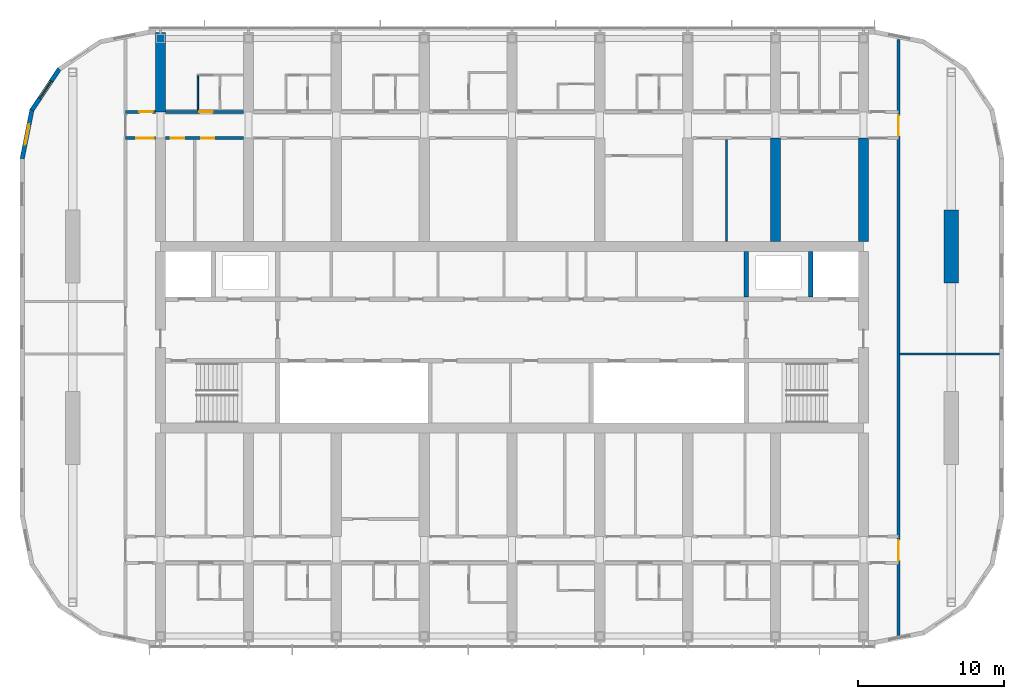
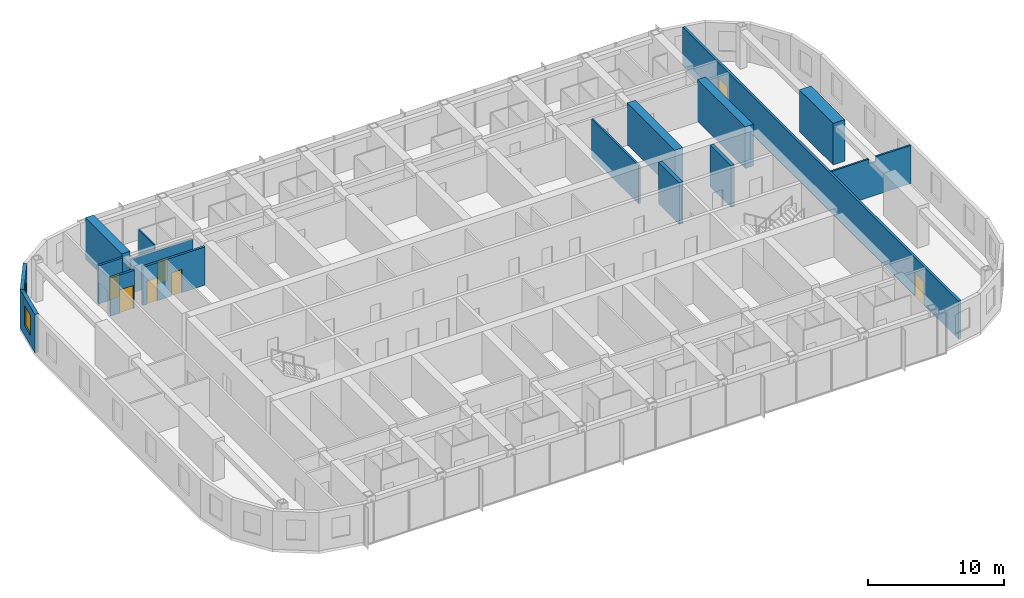
# One storey, part 15 of 23: 16 walls, 7 doors, 2 windows, 9 openings.
"""IFC4 building model written with IfcOpenShell, lengths in metres."""

from ifc_helpers import new_model, si_unit, direction, frame, frame_2d, origin, place, context, subcontext, project, spatial, polyline, rectangle, outline, extrude, material, layer, layer_set, type_object, element, fill, save


model = new_model("IFC4")

# Units and contexts
model_context = context("Model", 3, precision=1e-05, world=origin(), true_north=direction((0.0, 1.0)))
body_context = subcontext(model_context, "Body", "Model", "MODEL_VIEW")
ifc_project = project(units=[si_unit("LENGTHUNIT", "METRE"), si_unit("AREAUNIT", "SQUARE_METRE"), si_unit("VOLUMEUNIT", "CUBIC_METRE"), si_unit("PLANEANGLEUNIT", "RADIAN"), si_unit("MASSUNIT", "GRAM", prefix="KILO")], contexts=[model_context])

# Site, building, storey
site_placement = place(None, origin())
site = spatial("IfcSite", under=ifc_project, at=site_placement, CompositionType="ELEMENT")
building_placement = place(site_placement, origin())
building = spatial("IfcBuilding", under=site, at=building_placement, Name="Orbita Commons", CompositionType="ELEMENT")
storey_placement = place(building_placement, frame((0.0, 0.0, 254.050048828125)))
storey = spatial("IfcBuildingStorey", under=building, at=storey_placement, Name="L63", CompositionType="ELEMENT", Elevation=254.050048828125)

# Walls
ifc_material_1 = material(Name="Concrete C50/60", Category="concrete")
ifc_layer_1 = layer(ifc_material_1, 0.300048828125)
ifc_layer_set_1 = layer_set([ifc_layer_1], Name="Concrete C50/60")
wall_type_1 = type_object("IfcWallType", Name="Core inner wall 300 C50/60", PredefinedType="SHEAR", material=ifc_layer_set_1)
for number, where, z_axis, x_axis, name in (
    (1, (62.39990234375, 34.75, 0.0), (0.0, 0.0, 1.0), (0.0, 1.0, 0.0), "Firefighting lift FL2 shaft wall L63"),
    (2, (58.0, 34.75, 0.0), (0.0, 0.0, 1.0), (0.0, 1.0, 0.0), "Riser wall east L63"),
):
    element("IfcWall", number, at=place(storey_placement, frame(where, z_axis=z_axis, x_axis=x_axis)), inside=storey, type_object=wall_type_1, Name=name, PredefinedType="SHEAR", context=body_context, shape_type="SweptSolid", body=[
        extrude(rectangle(XDim=3.10009765625, YDim=0.300048828125, at=frame_2d((1.550048828125, 0.0))), origin(), (0.0, 0.0, 1.0), 3.75),
    ])

# Wall, opening, door
ifc_material_2 = material(Name="Concrete blockwork", Category="masonry")
ifc_layer_2 = layer(ifc_material_2, 0.199951171875)
ifc_layer_set_2 = layer_set([ifc_layer_2], Name="Concrete blockwork")
wall_type_2 = type_object("IfcWallType", Name="Corridor wall 200 blockwork", PredefinedType="SOLIDWALL", material=ifc_layer_set_2)
wall_1_placement = place(storey_placement, frame((15.60009765625, 47.39990234375, 0.0), z_axis=(0.0, 0.0, 1.0), x_axis=(1.0, 0.0, 0.0)))
wall_1 = element("IfcWall", 3, at=wall_1_placement, inside=storey, type_object=wall_type_2, Name="Corridor wall 200 blockwork L63", PredefinedType="SOLIDWALL", context=body_context, shape_type="SweptSolid", body=[
    extrude(rectangle(XDim=2.0498046875, YDim=0.199951171875, at=frame_2d((1.02490234375, 0.0))), origin(), (0.0, 0.0, 1.0), 3.449951171875),
])
opening_1_placement = place(wall_1_placement, frame((0.949951171875, 0.0, 0.0)))
opening_1 = element("IfcOpeningElement", 4, at=opening_1_placement, cuts=wall_1, Name="Opening D05", PredefinedType="OPENING", context=body_context, shape_type="SweptSolid", body=[
    extrude(rectangle(XDim=0.89990234375, YDim=2.10009765625, at=frame_2d((0.449951171875, 1.050048828125))), frame((0.0, 0.10986328125, 0.0), z_axis=(0.0, -1.0, 0.0), x_axis=(1.0, 0.0, 0.0)), (0.0, 0.0, 1.0), 0.219970703125),
])
ifc_material_3 = material(Name="Steel-faced fire door leaf", Category="steel")
door_type_1 = type_object("IfcDoorType", Name="Service door 20 min 900x2100", OperationType="SINGLE_SWING_LEFT", PredefinedType="DOOR", material=ifc_material_3)
door_1_placement = place(opening_1_placement, origin())
door_1 = element("IfcDoor", 5, at=door_1_placement, inside=storey, type_object=door_type_1, Name="Linen store L63-KWN door", OperationType="SINGLE_SWING_LEFT", OverallHeight=2.10009765625, OverallWidth=0.89990234375, PredefinedType="DOOR", context=body_context, shape_type="SweptSolid", body=[
    extrude(rectangle(XDim=0.89990234375, YDim=2.10009765625, at=frame_2d((0.449951171875, 1.050048828125))), frame((0.0, 0.02490234375, 0.0), z_axis=(0.0, -1.0, 0.0), x_axis=(1.0, 0.0, 0.0)), (0.0, 0.0, 1.0), 0.050048828125),
])
fill(opening_1, door_1)

wall_2_placement = place(storey_placement, frame((18.35009765625, 47.39990234375, 0.0), z_axis=(0.0, 0.0, 1.0), x_axis=(1.0, 0.0, 0.0)))
wall_2 = element("IfcWall", 6, at=wall_2_placement, inside=storey, type_object=wall_type_2, Name="Corridor wall 200 blockwork L63", PredefinedType="SOLIDWALL", context=body_context, shape_type="SweptSolid", body=[
    extrude(outline(polyline([(0.0, 0.0), (5.2998046875, 0.0), (5.300048828125, 3.050048828125), (0.0, 3.050048828125), (0.0, 0.0)])), frame((0.0, 0.10009765625, 0.0), z_axis=(0.0, -1.0, 0.0), x_axis=(1.0, 0.0, 0.0)), (0.0, 0.0, 1.0), 0.199951171875),
])
opening_2_placement = place(wall_2_placement, frame((2.300048828125, 0.0, 0.0)))
opening_2 = element("IfcOpeningElement", 7, at=opening_2_placement, cuts=wall_2, Name="Opening D11", PredefinedType="OPENING", context=body_context, shape_type="SweptSolid", body=[
    extrude(rectangle(XDim=0.89990234375, YDim=2.10009765625, at=frame_2d((0.449951171875, 1.050048828125))), frame((0.0, 0.10986328125, 0.0), z_axis=(0.0, -1.0, 0.0), x_axis=(1.0, 0.0, 0.0)), (0.0, 0.0, 1.0), 0.219970703125),
])
ifc_material_4 = material(Name="Steel-faced fire door leaf", Category="steel")
door_type_2 = type_object("IfcDoorType", Name="Corridor door 20 min 900x2100", OperationType="SINGLE_SWING_LEFT", PredefinedType="DOOR", material=ifc_material_4)
door_2_placement = place(opening_2_placement, origin())
door_2 = element("IfcDoor", 8, at=door_2_placement, inside=storey, type_object=door_type_2, Name="Studio flat L63-N00 entrance door", OperationType="SINGLE_SWING_LEFT", OverallHeight=2.10009765625, OverallWidth=0.89990234375, PredefinedType="DOOR", context=body_context, shape_type="SweptSolid", body=[
    extrude(rectangle(XDim=0.89990234375, YDim=2.10009765625, at=frame_2d((0.449951171875, 1.050048828125))), frame((0.0, 0.02490234375, 0.0), z_axis=(0.0, -1.0, 0.0), x_axis=(1.0, 0.0, 0.0)), (0.0, 0.0, 1.0), 0.050048828125),
])
fill(opening_2, door_2)

# Wall, openings, doors
wall_3_placement = place(storey_placement, frame((68.39990234375, 11.646240234375, 0.0), z_axis=(0.0, 0.0, 1.0), x_axis=(0.0, 1.0, 0.0)))
wall_3 = element("IfcWall", 9, at=wall_3_placement, inside=storey, type_object=wall_type_2, Name="Corridor wall 200 blockwork L63", PredefinedType="SOLIDWALL", context=body_context, shape_type="SweptSolid", body=[
    extrude(rectangle(XDim=40.70751953125, YDim=0.199951171875, at=frame_2d((20.353759765625, 0.0))), origin(), (0.0, 0.0, 1.0), 3.449951171875),
])
opening_3_placement = place(wall_3_placement, frame((5.103759765625, 0.0, 0.0)))
opening_3 = element("IfcOpeningElement", 10, at=opening_3_placement, cuts=wall_3, Name="Opening D08", PredefinedType="OPENING", context=body_context, shape_type="SweptSolid", body=[
    extrude(rectangle(XDim=1.39990234375, YDim=2.10009765625, at=frame_2d((0.699951171875, 1.050048828125))), frame((0.0, 0.10986328125, 0.0), z_axis=(0.0, -1.0, 0.0), x_axis=(1.0, 0.0, 0.0)), (0.0, 0.0, 1.0), 0.219970703125),
])
opening_4_placement = place(wall_3_placement, frame((34.103759765625, 0.0, 0.0)))
opening_4 = element("IfcOpeningElement", 11, at=opening_4_placement, cuts=wall_3, Name="Opening D08", PredefinedType="OPENING", context=body_context, shape_type="SweptSolid", body=[
    extrude(rectangle(XDim=1.39990234375, YDim=2.10009765625, at=frame_2d((0.699951171875, 1.050048828125))), frame((0.0, 0.10986328125, 0.0), z_axis=(0.0, -1.0, 0.0), x_axis=(1.0, 0.0, 0.0)), (0.0, 0.0, 1.0), 0.219970703125),
])
ifc_material_5 = material(Name="Steel-faced fire door leaf", Category="steel")
door_type_3 = type_object("IfcDoorType", Name="Double corridor door 20 min 1400x2100", OperationType="DOUBLE_DOOR_SINGLE_SWING", PredefinedType="DOOR", material=ifc_material_5)
door_3_placement = place(opening_3_placement, origin())
door_3 = element("IfcDoor", 12, at=door_3_placement, inside=storey, type_object=door_type_3, Name="Lounge doors", OperationType="DOUBLE_DOOR_SINGLE_SWING", OverallHeight=2.10009765625, OverallWidth=1.39990234375, PredefinedType="DOOR", context=body_context, shape_type="SweptSolid", body=[
    extrude(rectangle(XDim=1.39990234375, YDim=2.10009765625, at=frame_2d((0.699951171875, 1.050048828125))), frame((0.0, 0.02490234375, 0.0), z_axis=(0.0, -1.0, 0.0), x_axis=(1.0, 0.0, 0.0)), (0.0, 0.0, 1.0), 0.050048828125),
])
fill(opening_3, door_3)
door_4_placement = place(opening_4_placement, origin())
door_4 = element("IfcDoor", 13, at=door_4_placement, inside=storey, type_object=door_type_3, Name="Lounge doors", OperationType="DOUBLE_DOOR_SINGLE_SWING", OverallHeight=2.10009765625, OverallWidth=1.39990234375, PredefinedType="DOOR", context=body_context, shape_type="SweptSolid", body=[
    extrude(rectangle(XDim=1.39990234375, YDim=2.10009765625, at=frame_2d((0.699951171875, 1.050048828125))), frame((0.0, 0.02490234375, 0.0), z_axis=(0.0, -1.0, 0.0), x_axis=(1.0, 0.0, 0.0)), (0.0, 0.0, 1.0), 0.050048828125),
])
fill(opening_4, door_4)

# Wall, opening, door
ifc_material_6 = material(Name="Hollow concrete block 200", Category="concrete")
ifc_layer_3 = layer(ifc_material_6, 0.199951171875)
ifc_layer_set_3 = layer_set([ifc_layer_3], Name="Hollow concrete block 200")
wall_type_3 = type_object("IfcWallType", Name="Corridor wall 200 hollow concrete block", PredefinedType="SOLIDWALL", material=ifc_layer_set_3)
wall_4_placement = place(storey_placement, frame((15.60009765625, 45.60009765625, 0.0), z_axis=(0.0, 0.0, 1.0), x_axis=(1.0, 0.0, 0.0)))
wall_4 = element("IfcWall", 14, at=wall_4_placement, inside=storey, type_object=wall_type_3, Name="Corridor wall 200 hollow concrete block L63", PredefinedType="SOLIDWALL", context=body_context, shape_type="SweptSolid", body=[
    extrude(rectangle(XDim=2.0498046875, YDim=0.199951171875, at=frame_2d((1.02490234375, 0.0))), origin(), (0.0, 0.0, 1.0), 3.449951171875),
])
opening_5_placement = place(wall_4_placement, frame((0.75, 0.0, 0.0)))
opening_5 = element("IfcOpeningElement", 15, at=opening_5_placement, cuts=wall_4, Name="Opening D12", PredefinedType="OPENING", context=body_context, shape_type="SweptSolid", body=[
    extrude(rectangle(XDim=1.199951171875, YDim=2.10009765625, at=frame_2d((0.60009765625, 1.050048828125))), frame((0.0, 0.10986328125, 0.0), z_axis=(0.0, -1.0, 0.0), x_axis=(1.0, 0.0, 0.0)), (0.0, 0.0, 1.0), 0.219970703125),
])
ifc_material_7 = material(Name="Steel-faced fire door leaf", Category="steel")
door_type_4 = type_object("IfcDoorType", Name="Double corridor door 20 min 1200x2100", OperationType="DOUBLE_DOOR_SINGLE_SWING", PredefinedType="DOOR", material=ifc_material_7)
door_5_placement = place(opening_5_placement, origin())
door_5 = element("IfcDoor", 16, at=door_5_placement, inside=storey, type_object=door_type_4, Name="Cross corridor doors", OperationType="DOUBLE_DOOR_SINGLE_SWING", OverallHeight=2.10009765625, OverallWidth=1.199951171875, PredefinedType="DOOR", context=body_context, shape_type="SweptSolid", body=[
    extrude(rectangle(XDim=1.199951171875, YDim=2.10009765625, at=frame_2d((0.60009765625, 1.050048828125))), frame((0.0, 0.02490234375, 0.0), z_axis=(0.0, -1.0, 0.0), x_axis=(1.0, 0.0, 0.0)), (0.0, 0.0, 1.0), 0.050048828125),
])
fill(opening_5, door_5)

# Wall, openings, doors
wall_5_placement = place(storey_placement, frame((18.35009765625, 45.60009765625, 0.0), z_axis=(0.0, 0.0, 1.0), x_axis=(1.0, 0.0, 0.0)))
wall_5 = element("IfcWall", 17, at=wall_5_placement, inside=storey, type_object=wall_type_3, Name="Corridor wall 200 hollow concrete block L63", PredefinedType="SOLIDWALL", context=body_context, shape_type="SweptSolid", body=[
    extrude(rectangle(XDim=5.2998046875, YDim=0.199951171875, at=frame_2d((2.64990234375, 0.0))), origin(), (0.0, 0.0, 1.0), 3.449951171875),
])
opening_6_placement = place(wall_5_placement, frame((0.35009765625, 0.0, 0.0)))
opening_6 = element("IfcOpeningElement", 18, at=opening_6_placement, cuts=wall_5, Name="Opening D11", PredefinedType="OPENING", context=body_context, shape_type="SweptSolid", body=[
    extrude(rectangle(XDim=0.89990234375, YDim=2.10009765625, at=frame_2d((0.449951171875, 1.050048828125))), frame((0.0, 0.10986328125, 0.0), z_axis=(0.0, -1.0, 0.0), x_axis=(1.0, 0.0, 0.0)), (0.0, 0.0, 1.0), 0.219970703125),
])
opening_7_placement = place(wall_5_placement, frame((2.4150390625, 0.0, 0.0)))
opening_7 = element("IfcOpeningElement", 19, at=opening_7_placement, cuts=wall_5, Name="Opening D11", PredefinedType="OPENING", context=body_context, shape_type="SweptSolid", body=[
    extrude(rectangle(XDim=0.89990234375, YDim=2.10009765625, at=frame_2d((0.449951171875, 1.050048828125))), frame((0.0, 0.10986328125, 0.0), z_axis=(0.0, -1.0, 0.0), x_axis=(1.0, 0.0, 0.0)), (0.0, 0.0, 1.0), 0.219970703125),
])
door_6_placement = place(opening_6_placement, origin())
door_6 = element("IfcDoor", 20, at=door_6_placement, inside=storey, type_object=door_type_2, Name="Luggage store L63-BDN18n door", OperationType="SINGLE_SWING_LEFT", OverallHeight=2.10009765625, OverallWidth=0.89990234375, PredefinedType="DOOR", context=body_context, shape_type="SweptSolid", body=[
    extrude(rectangle(XDim=0.89990234375, YDim=2.10009765625, at=frame_2d((0.449951171875, 1.050048828125))), frame((0.0, 0.02490234375, 0.0), z_axis=(0.0, -1.0, 0.0), x_axis=(1.0, 0.0, 0.0)), (0.0, 0.0, 1.0), 0.050048828125),
])
fill(opening_6, door_6)
door_7_placement = place(opening_7_placement, origin())
door_7 = element("IfcDoor", 21, at=door_7_placement, inside=storey, type_object=door_type_2, Name="Storage lockers L63-BDN18 door", OperationType="SINGLE_SWING_LEFT", OverallHeight=2.10009765625, OverallWidth=0.89990234375, PredefinedType="DOOR", context=body_context, shape_type="SweptSolid", body=[
    extrude(rectangle(XDim=0.89990234375, YDim=2.10009765625, at=frame_2d((0.449951171875, 1.050048828125))), frame((0.0, 0.02490234375, 0.0), z_axis=(0.0, -1.0, 0.0), x_axis=(1.0, 0.0, 0.0)), (0.0, 0.0, 1.0), 0.050048828125),
])
fill(opening_7, door_7)

# Walls
ifc_material_8 = material(Name="Concrete C50/60", Category="concrete")
ifc_layer_4 = layer(ifc_material_8, 0.699951171875)
ifc_layer_set_4 = layer_set([ifc_layer_4], Name="Concrete C50/60")
wall_type_4 = type_object("IfcWallType", Name="Cross wall 700 C50/60", PredefinedType="SHEAR", material=ifc_layer_set_4)
wall_6_placement = place(storey_placement, frame((18.0, 47.39990234375, 0.0), z_axis=(0.0, 0.0, 1.0), x_axis=(0.0, 1.0, 0.0)))
element("IfcWall", 22, at=wall_6_placement, inside=storey, type_object=wall_type_4, Name="Cross wall 4 north outer L63", PredefinedType="SHEAR", context=body_context, shape_type="SweptSolid", body=[
    extrude(rectangle(XDim=5.400146484375, YDim=0.699951171875, at=frame_2d((2.7001953125, 0.0))), origin(), (0.0, 0.0, 1.0), 3.75),
])
for number, where, z_axis, x_axis, name in (
    (23, (60.0, 38.550048828125, 0.0), (0.0, 0.0, 1.0), (0.0, 1.0, 0.0), "Cross wall 11 north inner L63"),
    (24, (66.0, 38.550048828125, 0.0), (0.0, 0.0, 1.0), (0.0, 1.0, 0.0), "Cross wall 12 north inner L63"),
):
    element("IfcWall", number, at=place(storey_placement, frame(where, z_axis=z_axis, x_axis=x_axis)), inside=storey, type_object=wall_type_4, Name=name, PredefinedType="SHEAR", context=body_context, shape_type="SweptSolid", body=[
        extrude(rectangle(XDim=7.050048828125, YDim=0.699951171875, at=frame_2d((3.52490234375, 0.0))), origin(), (0.0, 0.0, 1.0), 3.75),
    ])
ifc_material_9 = material(Name="Moisture-resistant plasterboard on steel studs", Category="steel")
ifc_layer_5 = layer(ifc_material_9, 0.10009765625)
ifc_layer_set_5 = layer_set([ifc_layer_5], Name="Moisture-resistant plasterboard on steel studs")
wall_type_5 = type_object("IfcWallType", Name="En-suite partition 100", PredefinedType="PARTITIONING", material=ifc_layer_set_5)
wall_7_placement = place(storey_placement, frame((20.550048828125, 49.85009765625, 0.0), z_axis=(0.0, 0.0, 1.0), x_axis=(0.0, -1.0, 0.0)))
element("IfcWall", 25, at=wall_7_placement, inside=storey, type_object=wall_type_5, Name="En-suite partition 100 L63", PredefinedType="PARTITIONING", context=body_context, shape_type="SweptSolid", body=[
    extrude(outline(polyline([(0.0, 0.0), (2.35009765625, 0.0), (2.35009765625, 3.050048828125), (2.302001953125, 3.050048828125), (2.300048828125, 3.449951171875), (0.0, 3.449951171875), (0.0, 0.0)])), frame((0.0, 0.050048828125, 0.0), z_axis=(0.0, -1.0, 0.0), x_axis=(1.0, 0.0, 0.0)), (0.0, 0.0, 1.0), 0.10009765625),
])
ifc_material_10 = material(Name="Concrete C50/60", Category="concrete")
ifc_layer_6 = layer(ifc_material_10, 1.0)
ifc_layer_set_6 = layer_set([ifc_layer_6], Name="Concrete C50/60")
wall_type_6 = type_object("IfcWallType", Name="End pier 1000x5000 C50/60", PredefinedType="SHEAR", material=ifc_layer_set_6)
wall_8_placement = place(storey_placement, frame((72.0, 35.699951171875, 0.0), z_axis=(0.0, 0.0, 1.0), x_axis=(0.0, 1.0, 0.0)))
element("IfcWall", 26, at=wall_8_placement, inside=storey, type_object=wall_type_6, Name="End pier 13/D L63", PredefinedType="SHEAR", context=body_context, shape_type="SweptSolid", body=[
    extrude(rectangle(XDim=5.0, YDim=1.0, at=frame_2d((2.5, 0.0))), origin(), (0.0, 0.0, 1.0), 3.75),
])
ifc_material_11 = material(Name="Gypsum plasterboard on steel studs", Category="steel")
ifc_layer_7 = layer(ifc_material_11, 0.14990234375)
ifc_layer_set_7 = layer_set([ifc_layer_7], Name="Gypsum plasterboard on steel studs")
wall_type_7 = type_object("IfcWallType", Name="Partition 150 plasterboard", PredefinedType="PARTITIONING", material=ifc_layer_set_7)
wall_9_placement = place(storey_placement, frame((56.639892578125, 38.550048828125, 0.0), z_axis=(0.0, 0.0, 1.0), x_axis=(0.0, 1.0, 0.0)))
element("IfcWall", 27, at=wall_9_placement, inside=storey, type_object=wall_type_7, Name="Partition 150 plasterboard L63", PredefinedType="PARTITIONING", context=body_context, shape_type="SweptSolid", body=[
    extrude(rectangle(XDim=6.949951171875, YDim=0.14990234375, at=frame_2d((3.47509765625, 0.0))), origin(), (0.0, 0.0, 1.0), 3.449951171875),
])
wall_10_placement = place(storey_placement, frame((68.47509765625, 30.85009765625, 0.0), z_axis=(0.0, 0.0, 1.0), x_axis=(1.0, 0.0, 0.0)))
element("IfcWall", 28, at=wall_10_placement, inside=storey, type_object=wall_type_7, Name="Partition 150 plasterboard L63", PredefinedType="PARTITIONING", context=body_context, shape_type="SweptSolid", body=[
    extrude(outline(polyline([(0.0, 0.0), (6.81982421875, 0.0), (6.820068359375, 3.449951171875), (3.826904296875, 3.449951171875), (3.824951171875, 3.0), (3.22705078125, 3.0), (3.22509765625, 3.449951171875), (0.0, 3.449951171875), (0.0, 0.0)])), frame((0.0, 0.074951171875, 0.0), z_axis=(0.0, -1.0, 0.0), x_axis=(1.0, 0.0, 0.0)), (0.0, 0.0, 1.0), 0.14990234375),
])

# Wall, opening, window
ifc_material_12 = material(Name="Precast concrete C40/50, white board-marked finish", Category="concrete")
ifc_layer_8 = layer(ifc_material_12, 0.300048828125)
ifc_layer_set_8 = layer_set([ifc_layer_8], Name="Precast concrete C40/50, white board-marked finish")
wall_type_8 = type_object("IfcWallType", Name="Precast concrete end shield 300", PredefinedType="SOLIDWALL", material=ifc_layer_set_8)
wall_11_placement = place(storey_placement, frame((11.08349609375, 50.31640625, 0.0), z_axis=(0.0, 0.0, 1.0), x_axis=(-0.555567969291, -0.831471124873, 0.0)))
wall_11 = element("IfcWall", 29, at=wall_11_placement, inside=storey, type_object=wall_type_8, Name="End shield NW chord 3 L63", PredefinedType="SOLIDWALL", context=body_context, shape_type="SweptSolid", body=[
    extrude(outline(polyline([(-0.02978515625, -0.14990234375), (3.40478515625, -0.14990234375), (3.34521484375, 0.14990234375), (0.02978515625, 0.14990234375), (-0.02978515625, -0.14990234375)])), origin(), (0.0, 0.0, 1.0), 3.449951171875),
])
opening_8_placement = place(wall_11_placement, frame((0.987548828125, 0.0, 0.89990234375)))
opening_8 = element("IfcOpeningElement", 30, at=opening_8_placement, cuts=wall_11, Name="Opening W02", PredefinedType="OPENING", context=body_context, shape_type="SweptSolid", body=[
    extrude(rectangle(XDim=1.39990234375, YDim=1.800048828125, at=frame_2d((0.699951171875, 0.89990234375))), frame((0.0, 0.159912109375, 0.0), z_axis=(0.0, -1.0, 0.0), x_axis=(1.0, 0.0, 0.0)), (0.0, 0.0, 1.0), 0.320068359375),
])
ifc_material_13 = material(Name="Aluminium frame, clear double glazing", Category="aluminium")
window_type = type_object("IfcWindowType", Name="Deep-set window 1400x1800", PartitioningType="SINGLE_PANEL", PredefinedType="WINDOW", material=ifc_material_13)
window_1_placement = place(opening_8_placement, origin())
window_1 = element("IfcWindow", 31, at=window_1_placement, inside=storey, type_object=window_type, Name="Window L63-NW2", OverallHeight=1.800048828125, OverallWidth=1.39990234375, PartitioningType="SINGLE_PANEL", PredefinedType="WINDOW", context=body_context, shape_type="SweptSolid", body=[
    extrude(rectangle(XDim=1.39990234375, YDim=1.800048828125, at=frame_2d((0.699951171875, 0.89990234375))), frame((0.0, 0.030029296875, 0.0), z_axis=(0.0, -1.0, 0.0), x_axis=(1.0, 0.0, 0.0)), (0.0, 0.0, 1.0), 0.06005859375),
])
fill(opening_8, window_1)

wall_12_placement = place(storey_placement, frame((9.20849609375, 47.51025390625, 0.0), z_axis=(0.0, 0.0, 1.0), x_axis=(-0.19508664885, -0.980786011034, 0.0)))
wall_12 = element("IfcWall", 32, at=wall_12_placement, inside=storey, type_object=wall_type_8, Name="End shield NW chord 4 L63", PredefinedType="SOLIDWALL", context=body_context, shape_type="SweptSolid", body=[
    extrude(outline(polyline([(-0.02978515625, -0.14990234375), (3.39013671875, -0.14990234375), (3.3603515625, 0.14990234375), (0.02978515625, 0.14990234375), (-0.02978515625, -0.14990234375)])), origin(), (0.0, 0.0, 1.0), 3.449951171875),
])
opening_9_placement = place(wall_12_placement, frame((0.987548828125, 0.0, 0.89990234375)))
opening_9 = element("IfcOpeningElement", 33, at=opening_9_placement, cuts=wall_12, Name="Opening W02", PredefinedType="OPENING", context=body_context, shape_type="SweptSolid", body=[
    extrude(rectangle(XDim=1.39990234375, YDim=1.800048828125, at=frame_2d((0.699951171875, 0.89990234375))), frame((0.0, 0.159912109375, 0.0), z_axis=(0.0, -1.0, 0.0), x_axis=(1.0, 0.0, 0.0)), (0.0, 0.0, 1.0), 0.320068359375),
])
window_2_placement = place(opening_9_placement, origin())
window_2 = element("IfcWindow", 34, at=window_2_placement, inside=storey, type_object=window_type, Name="Window L63-NW3", OverallHeight=1.800048828125, OverallWidth=1.39990234375, PartitioningType="SINGLE_PANEL", PredefinedType="WINDOW", context=body_context, shape_type="SweptSolid", body=[
    extrude(rectangle(XDim=1.39990234375, YDim=1.800048828125, at=frame_2d((0.699951171875, 0.89990234375))), frame((0.0, 0.030029296875, 0.0), z_axis=(0.0, -1.0, 0.0), x_axis=(1.0, 0.0, 0.0)), (0.0, 0.0, 1.0), 0.06005859375),
])
fill(opening_9, window_2)

save(model, "model.ifc")
